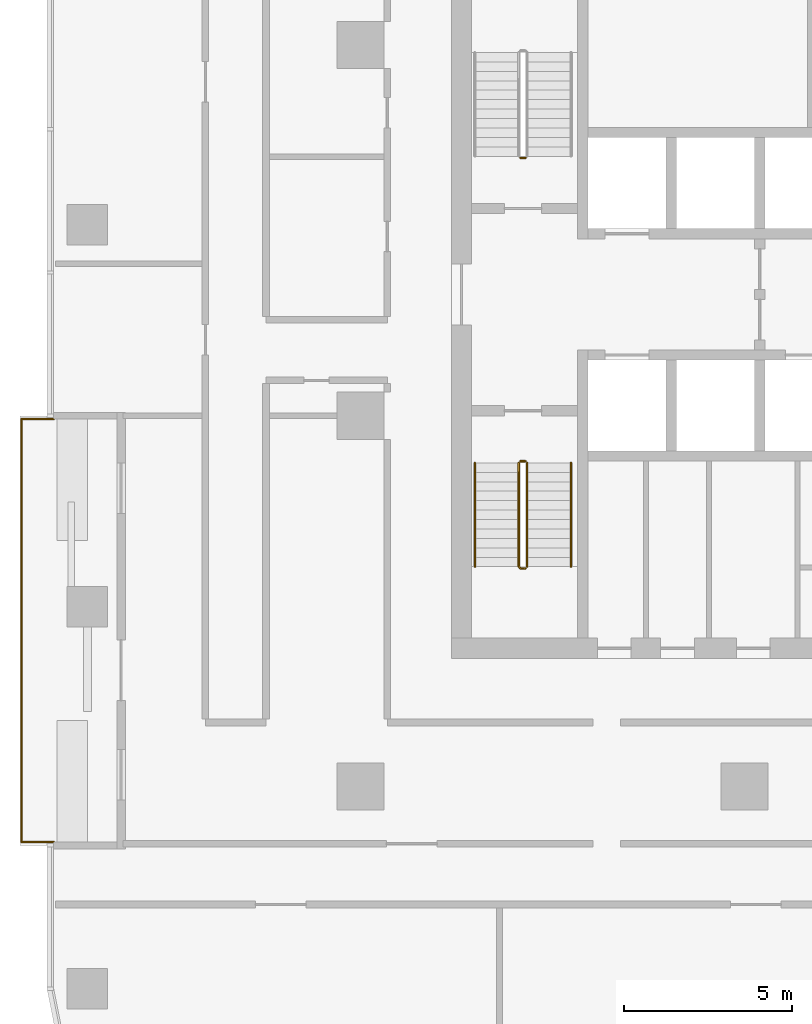
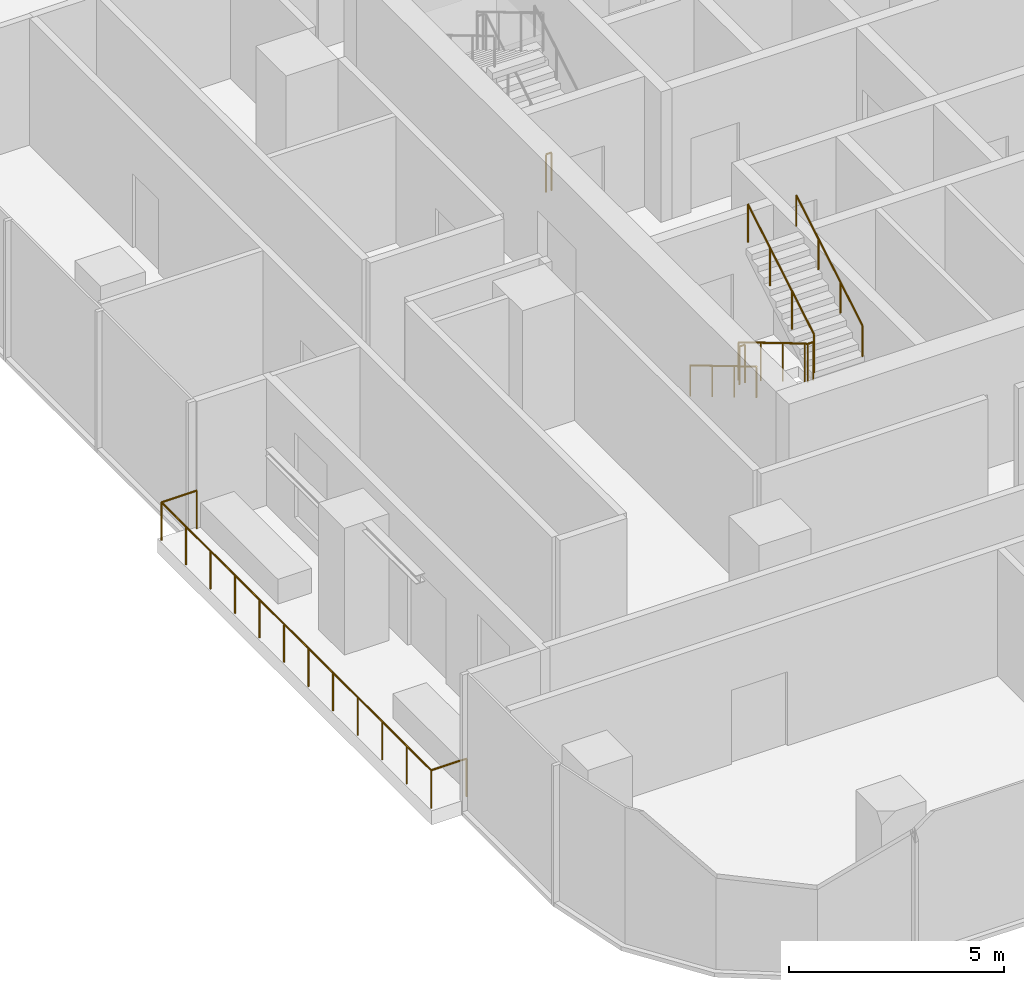
# One storey, part 12 of 14: 7 railings.
"""IFC4 building model written with IfcOpenShell, lengths in metres."""

import ifcopenshell
import ifcopenshell.guid

model = None  # the IFC model being written
_history = None  # IfcOwnerHistory: only IFC2X3 demands one
_inside = {}  # id of a spatial element -> (the spatial element, [elements in it])
_under = {}  # id of a project, library or spatial element -> (it, [spatial elements below it])
_declared = {}  # id of a project -> (the project, [libraries it declares])
_typed = {}  # id of a type object -> (the type object, [elements of that type])
_made_of = {}  # id of a material, layer set ... -> (it, [elements and type objects made of it])


def new_model(schema):
    """Start an empty IFC model of exactly this schema.

    Asked for "IFC4X3", IfcOpenShell would pick the latest addendum, in which some entities
    have other attributes; the version numbers below select the first issue.
    IFC2X3 requires an IfcOwnerHistory on every rooted entity: one is made here for all.
    """
    global model, _history
    if schema == "IFC4X3":
        model = ifcopenshell.file(schema_version=(4, 3, 0, 0))
    else:
        model = ifcopenshell.file(schema=schema)
    _inside.clear()
    _under.clear()
    _declared.clear()
    _typed.clear()
    _made_of.clear()
    _history = None
    if model.schema == "IFC2X3":
        org = make("IfcOrganization", Name="unknown")
        user = make(
            "IfcPersonAndOrganization",
            ThePerson=make("IfcPerson", FamilyName="unknown"),
            TheOrganization=org,
        )
        app = make(
            "IfcApplication",
            ApplicationDeveloper=org,
            Version="unknown",
            ApplicationFullName="unknown",
            ApplicationIdentifier="unknown",
        )
        _history = make(
            "IfcOwnerHistory",
            OwningUser=user,
            OwningApplication=app,
            ChangeAction="ADDED",
            CreationDate=0,
        )
    return model


def make(cls, **values):
    """One entity of the class cls with the attributes given. An attribute that is None is left unset."""
    return model.create_entity(
        cls, **{name: value for name, value in values.items() if value is not None}
    )


def rooted(cls, **values):
    """An entity with a GlobalId (a new one), such as an element, a storey or a relation."""
    return make(cls, GlobalId=ifcopenshell.guid.new(), OwnerHistory=_history, **values)


def si_unit(unit_type, name, prefix=None):
    """IfcSIUnit, for example si_unit("LENGTHUNIT", "METRE", prefix="MILLI")."""
    return make("IfcSIUnit", UnitType=unit_type, Prefix=prefix, Name=name)


def assignment(units):
    """IfcUnitAssignment: the units of a project."""
    return None if units is None else make("IfcUnitAssignment", Units=units)


def point(xyz):
    """IfcCartesianPoint."""
    return None if xyz is None else make("IfcCartesianPoint", Coordinates=xyz)


def direction(xyz):
    """IfcDirection."""
    return None if xyz is None else make("IfcDirection", DirectionRatios=xyz)


def frame(location, z_axis=None, x_axis=None):
    """IfcAxis2Placement3D, a coordinate frame: its origin and axes. An axis left out is left unset."""
    return make(
        "IfcAxis2Placement3D",
        Location=point(location),
        Axis=direction(z_axis),
        RefDirection=direction(x_axis),
    )


def frame_2d(location, x_axis=None):
    """IfcAxis2Placement2D, a coordinate frame in the plane: its origin and x axis."""
    return make(
        "IfcAxis2Placement2D", Location=point(location), RefDirection=direction(x_axis)
    )


def origin():
    """The frame at (0, 0, 0) with its axes left unset."""
    return frame((0.0, 0.0, 0.0))


def origin_2d():
    """The frame at (0, 0) in the plane with its x axis left unset."""
    return frame_2d((0.0, 0.0))


def place(relative_to, where):
    """IfcLocalPlacement: puts the frame where relative to a parent placement (None: the world)."""
    return make(
        "IfcLocalPlacement", PlacementRelTo=relative_to, RelativePlacement=where
    )


def context(
    kind, dimensions, precision=None, world=None, true_north=None, identifier=None
):
    """IfcGeometricRepresentationContext, for example the 3D "Model" context."""
    return make(
        "IfcGeometricRepresentationContext",
        ContextIdentifier=identifier,
        ContextType=kind,
        CoordinateSpaceDimension=dimensions,
        Precision=precision,
        WorldCoordinateSystem=world,
        TrueNorth=true_north,
    )


def subcontext(parent, identifier, kind, view, scale=None):
    """IfcGeometricRepresentationSubContext, for example "Body" below "Model"."""
    return make(
        "IfcGeometricRepresentationSubContext",
        ContextIdentifier=identifier,
        ContextType=kind,
        ParentContext=parent,
        TargetScale=scale,
        TargetView=view,
    )


def project(units=None, contexts=None):
    """IfcProject with its units and contexts."""
    return rooted(
        "IfcProject",
        Name="project",
        RepresentationContexts=contexts,
        UnitsInContext=assignment(units),
    )


def spatial(cls, under=None, at=None, **own):
    """A site, building, storey or space (cls), placed at a placement, below another one or the project."""
    s = rooted(cls, ObjectPlacement=at, **own)
    if under is not None:
        _under.setdefault(under.id(), (under, []))[1].append(s)
    return s


def profile(cls, at=None, kind="AREA", **sizes):
    """A parametric profile (cls). Its sizes go by their IFC names, for example OverallWidth=200.0."""
    return make(cls, ProfileType=kind, Position=at, **sizes)


def circle(**sizes):
    """IfcCircleProfileDef."""
    return profile("IfcCircleProfileDef", **sizes)


def extrude(swept, where, along, depth):
    """IfcExtrudedAreaSolid: the profile swept, set in the frame where, extruded along a direction by depth."""
    return make(
        "IfcExtrudedAreaSolid",
        SweptArea=swept,
        Position=where,
        ExtrudedDirection=direction(along),
        Depth=depth,
    )


def shape(context_of_items, identifier, shape_type, items):
    """IfcShapeRepresentation: the items that make up one representation, for example the "Body"."""
    return make(
        "IfcShapeRepresentation",
        ContextOfItems=context_of_items,
        RepresentationIdentifier=identifier,
        RepresentationType=shape_type,
        Items=items,
    )


def material(Name=None, Category=None):
    """IfcMaterial."""
    return make("IfcMaterial", Name=Name, Category=Category)


def made_of(thing, what):
    """Note that an element or type object is made of a material, layer set ...; save() writes the relation."""
    if what is not None:
        _made_of.setdefault(what.id(), (what, []))[1].append(thing)
    return thing


def type_object(cls, material=None, **own):
    """A type object (cls), such as IfcWallType, which elements share."""
    return made_of(rooted(cls, **own), material)


def element(
    cls,
    number,
    at=None,
    inside=None,
    cuts=None,
    type_object=None,
    material=None,
    context=None,
    identifier="Body",
    shape_type=None,
    held_by="IfcProductDefinitionShape",
    body=None,
    shapes=None,
    **own,
):
    """One element of the class cls, such as IfcWall. Its Tag is "e" and its number.

    at: its placement. inside: the storey or other place that contains it. cuts: it is an
    opening in that element (IfcRelVoidsElement). A single representation is given by context,
    identifier, shape_type and body (its items); several are given by shapes. held_by: the class
    of the entity that holds the representations. save() writes the other relations.
    """
    e = rooted(cls, Tag="e%d" % number, ObjectPlacement=at, **own)
    if body is not None:
        shapes = [shape(context, identifier, shape_type, body)]
    if shapes is not None:
        e.Representation = make(held_by, Representations=shapes)
    if inside is not None:
        _inside.setdefault(inside.id(), (inside, []))[1].append(e)
    if cuts is not None:
        rooted(
            "IfcRelVoidsElement", RelatingBuildingElement=cuts, RelatedOpeningElement=e
        )
    if type_object is not None:
        _typed.setdefault(type_object.id(), (type_object, []))[1].append(e)
    return made_of(e, material)


def aggregate(whole, parts):
    """IfcRelAggregates: a whole, such as a stair, and the parts it consists of."""
    return rooted("IfcRelAggregates", RelatingObject=whole, RelatedObjects=parts)


def save(model, path):
    """Write the relations noted so far, then the file.

    IfcRelAggregates (storeys below a building ...), IfcRelContainedInSpatialStructure (elements
    in a storey), IfcRelDefinesByType, IfcRelAssociatesMaterial and IfcRelDeclares: one each for
    every whole, place, type object, material and project.
    """
    for whole, parts in _under.values():
        aggregate(whole, parts)
    for where, things in _inside.values():
        rooted(
            "IfcRelContainedInSpatialStructure",
            RelatedElements=things,
            RelatingStructure=where,
        )
    for kind, things in _typed.values():
        rooted("IfcRelDefinesByType", RelatedObjects=things, RelatingType=kind)
    for what, things in _made_of.values():
        rooted("IfcRelAssociatesMaterial", RelatedObjects=things, RelatingMaterial=what)
    for by, libraries in _declared.values():
        rooted("IfcRelDeclares", RelatingContext=by, RelatedDefinitions=libraries)
    model.write(path)


model = new_model("IFC4")

# Units and contexts
model_context = context("Model", 3, precision=1e-05, world=origin(), true_north=direction((0.0, 1.0)))
body_context = subcontext(model_context, "Body", "Model", "MODEL_VIEW")
ifc_project = project(units=[si_unit("LENGTHUNIT", "METRE"), si_unit("AREAUNIT", "SQUARE_METRE"), si_unit("VOLUMEUNIT", "CUBIC_METRE"), si_unit("PLANEANGLEUNIT", "RADIAN"), si_unit("MASSUNIT", "GRAM", prefix="KILO")], contexts=[model_context])

# Site, building, storey
site_placement = place(None, origin())
site = spatial("IfcSite", under=ifc_project, at=site_placement, CompositionType="ELEMENT")
building_placement = place(site_placement, origin())
building = spatial("IfcBuilding", under=site, at=building_placement, Name="Mopane Tessera Tower", CompositionType="ELEMENT")
storey_placement = place(building_placement, frame((0.0, 0.0, 197.0)))
storey = spatial("IfcBuildingStorey", under=building, at=storey_placement, Name="L41", CompositionType="ELEMENT", Elevation=197.0)

# Railings
ifc_material_1 = material(Name="Powder-coated steel balustrade", Category="steel")
railing_type_1 = type_object("IfcRailingType", Name="Escape stair guard 1100 mm", PredefinedType="GUARDRAIL", material=ifc_material_1)
railing_1_placement = place(storey_placement, frame((-12.39990234375, -1.39990234375, 0.166748046875)))
element("IfcRailing", 1, at=railing_1_placement, inside=storey, type_object=railing_type_1, Name="L41 ST1 stair guard 1", PredefinedType="GUARDRAIL", context=body_context, shape_type="SweptSolid", body=[
    extrude(circle(Radius=0.02392578125, at=origin_2d()), frame((0.0, 0.0, 1.076171875), z_axis=(0.0, -0.859308565015, 0.511457515432), x_axis=(1.0, 0.0, 0.0)), (0.0, 0.0, 1.0), 3.58447265625),
    extrude(circle(Radius=0.02392578125, at=origin_2d()), frame((0.0, -3.080078125, 2.9091796875), z_axis=(0.705375805398, -0.708833529934, 0.0), x_axis=(0.708833529934, 0.705375805398, 0.0)), (0.0, 0.0, 1.0), 0.070556640625),
    extrude(circle(Radius=0.02392578125, at=origin_2d()), frame((0.0498046875, -3.130126953125, 2.9091796875), z_axis=(1.0, 0.0, 0.0), x_axis=(0.0, 1.0, 0.0)), (0.0, 0.0, 1.0), 0.150146484375),
    extrude(circle(Radius=0.02099609375, at=origin_2d()), origin(), (0.0, 0.0, 1.0), 1.052001953125),
    extrude(circle(Radius=0.02099609375, at=origin_2d()), frame((0.0, -1.026611328125, 0.611083984375)), (0.0, 0.0, 1.0), 1.052001953125),
    extrude(circle(Radius=0.02099609375, at=origin_2d()), frame((0.0, -2.053466796875, 1.22216796875)), (0.0, 0.0, 1.0), 1.052001953125),
    extrude(circle(Radius=0.02099609375, at=origin_2d()), frame((0.0, -3.080078125, 1.833251953125)), (0.0, 0.0, 1.0), 1.052001953125),
    extrude(circle(Radius=0.02099609375, at=origin_2d()), frame((0.0498046875, -3.130126953125, 1.833251953125)), (0.0, 0.0, 1.0), 1.052001953125),
    extrude(circle(Radius=0.02099609375, at=origin_2d()), frame((0.199951171875, -3.130126953125, 1.833251953125)), (0.0, 0.0, 1.0), 1.052001953125),
])
railing_2_placement = place(storey_placement, frame((-12.14990234375, -4.47998046875, 2.166748046875)))
element("IfcRailing", 2, at=railing_2_placement, inside=storey, type_object=railing_type_1, Name="L41 ST1 stair guard 2", PredefinedType="GUARDRAIL", context=body_context, shape_type="SweptSolid", body=[
    extrude(circle(Radius=0.02392578125, at=origin_2d()), frame((0.0, 0.0, 1.076171875), z_axis=(0.0, 0.859308565015, 0.511457515432), x_axis=(-1.0, 0.0, 0.0)), (0.0, 0.0, 1.0), 3.58447265625),
    extrude(circle(Radius=0.02099609375, at=origin_2d()), origin(), (0.0, 0.0, 1.0), 1.052001953125),
    extrude(circle(Radius=0.02099609375, at=origin_2d()), frame((0.0, 1.026611328125, 0.611083984375)), (0.0, 0.0, 1.0), 1.052001953125),
    extrude(circle(Radius=0.02099609375, at=origin_2d()), frame((0.0, 2.053466796875, 1.22216796875)), (0.0, 0.0, 1.0), 1.052001953125),
    extrude(circle(Radius=0.02099609375, at=origin_2d()), frame((0.0, 3.080078125, 1.833251953125)), (0.0, 0.0, 1.0), 1.052001953125),
])
railing_3_placement = place(storey_placement, frame((-12.35009765625, -1.35009765625, 0.0)))
element("IfcRailing", 3, at=railing_3_placement, inside=storey, type_object=railing_type_1, Name="L41 ST1 stair guard 3", PredefinedType="GUARDRAIL", context=body_context, shape_type="SweptSolid", body=[
    extrude(circle(Radius=0.02392578125, at=origin_2d()), frame((0.0, 0.0, 1.076171875), z_axis=(1.0, 0.0, 0.0), x_axis=(0.0, 1.0, 0.0)), (0.0, 0.0, 1.0), 0.150146484375),
    extrude(circle(Radius=0.02099609375, at=origin_2d()), origin(), (0.0, 0.0, 1.0), 1.052001953125),
    extrude(circle(Radius=0.02099609375, at=origin_2d()), frame((0.150146484375, 0.0, 0.0)), (0.0, 0.0, 1.0), 1.052001953125),
])
railing_4_placement = place(storey_placement, frame((-12.199951171875, 7.64990234375, 0.0)))
element("IfcRailing", 4, at=railing_4_placement, inside=storey, type_object=railing_type_1, Name="L41 ST2 stair guard 3", PredefinedType="GUARDRAIL", context=body_context, shape_type="SweptSolid", body=[
    extrude(circle(Radius=0.02392578125, at=origin_2d()), frame((0.0, 0.0, 1.076171875), z_axis=(-1.0, 0.0, 0.0), x_axis=(0.0, -1.0, 0.0)), (0.0, 0.0, 1.0), 0.150146484375),
    extrude(circle(Radius=0.02099609375, at=origin_2d()), origin(), (0.0, 0.0, 1.0), 1.052001953125),
    extrude(circle(Radius=0.02099609375, at=origin_2d()), frame((-0.150146484375, 0.0, 0.0)), (0.0, 0.0, 1.0), 1.052001953125),
])
ifc_material_2 = material(Name="Powder-coated steel balustrade", Category="steel")
railing_type_2 = type_object("IfcRailingType", Name="Escape stair handrail 900 mm", PredefinedType="HANDRAIL", material=ifc_material_2)
railing_5_placement = place(storey_placement, frame((-13.699951171875, -1.39990234375, 0.166748046875)))
element("IfcRailing", 5, at=railing_5_placement, inside=storey, type_object=railing_type_2, Name="L41 ST1 stair handrail 1", PredefinedType="HANDRAIL", context=body_context, shape_type="SweptSolid", body=[
    extrude(circle(Radius=0.02392578125, at=origin_2d()), frame((0.0, 0.0, 0.8759765625), z_axis=(0.0, -0.859308565015, 0.511457515432), x_axis=(1.0, 0.0, 0.0)), (0.0, 0.0, 1.0), 3.58447265625),
    extrude(circle(Radius=0.02099609375, at=origin_2d()), origin(), (0.0, 0.0, 1.0), 0.851806640625),
    extrude(circle(Radius=0.02099609375, at=origin_2d()), frame((0.0, -1.026611328125, 0.611083984375)), (0.0, 0.0, 1.0), 0.851806640625),
    extrude(circle(Radius=0.02099609375, at=origin_2d()), frame((0.0, -2.053466796875, 1.22216796875)), (0.0, 0.0, 1.0), 0.851806640625),
    extrude(circle(Radius=0.02099609375, at=origin_2d()), frame((0.0, -3.080078125, 1.833251953125)), (0.0, 0.0, 1.0), 0.851806640625),
])
railing_6_placement = place(storey_placement, frame((-10.85009765625, -4.47998046875, 2.166748046875)))
element("IfcRailing", 6, at=railing_6_placement, inside=storey, type_object=railing_type_2, Name="L41 ST1 stair handrail 2", PredefinedType="HANDRAIL", context=body_context, shape_type="SweptSolid", body=[
    extrude(circle(Radius=0.02392578125, at=origin_2d()), frame((0.0, 0.0, 0.8759765625), z_axis=(0.0, 0.859308565015, 0.511457515432), x_axis=(-1.0, 0.0, 0.0)), (0.0, 0.0, 1.0), 3.58447265625),
    extrude(circle(Radius=0.02099609375, at=origin_2d()), origin(), (0.0, 0.0, 1.0), 0.851806640625),
    extrude(circle(Radius=0.02099609375, at=origin_2d()), frame((0.0, 1.026611328125, 0.611083984375)), (0.0, 0.0, 1.0), 0.851806640625),
    extrude(circle(Radius=0.02099609375, at=origin_2d()), frame((0.0, 2.053466796875, 1.22216796875)), (0.0, 0.0, 1.0), 0.851806640625),
    extrude(circle(Radius=0.02099609375, at=origin_2d()), frame((0.0, 3.080078125, 1.833251953125)), (0.0, 0.0, 1.0), 0.851806640625),
])
ifc_material_3 = material(Name="Stainless steel S316", Category="steel")
railing_type_3 = type_object("IfcRailingType", Name="Terrace guard 1100", PredefinedType="GUARDRAIL", material=ifc_material_3)
railing_7_placement = place(storey_placement, frame((-26.199951171875, -0.10009765625, 0.0)))
element("IfcRailing", 7, at=railing_7_placement, inside=storey, type_object=railing_type_3, Name="e:nw:L41:N1:guard", PredefinedType="GUARDRAIL", context=body_context, shape_type="SweptSolid", body=[
    extrude(circle(Radius=0.02392578125, at=origin_2d()), frame((0.0, 0.0, 1.076171875), z_axis=(-1.0, 0.0, 0.0), x_axis=(0.0, -1.0, 0.0)), (0.0, 0.0, 1.0), 0.949951171875),
    extrude(circle(Radius=0.02392578125, at=origin_2d()), frame((-0.949951171875, 0.0, 1.076171875), z_axis=(0.0, -1.0, 0.0), x_axis=(1.0, 0.0, 0.0)), (0.0, 0.0, 1.0), 12.5498046875),
    extrude(circle(Radius=0.02392578125, at=origin_2d()), frame((-0.949951171875, -12.5498046875, 1.076171875), z_axis=(1.0, 0.0, 0.0), x_axis=(0.0, 1.0, 0.0)), (0.0, 0.0, 1.0), 0.949951171875),
    extrude(circle(Radius=0.02099609375, at=origin_2d()), origin(), (0.0, 0.0, 1.0), 1.052001953125),
    extrude(circle(Radius=0.02099609375, at=origin_2d()), frame((-0.949951171875, 0.0, 0.0)), (0.0, 0.0, 1.0), 1.052001953125),
    extrude(circle(Radius=0.02099609375, at=origin_2d()), frame((-0.949951171875, -1.140869140625, 0.0)), (0.0, 0.0, 1.0), 1.052001953125),
    extrude(circle(Radius=0.02099609375, at=origin_2d()), frame((-0.949951171875, -2.28173828125, 0.0)), (0.0, 0.0, 1.0), 1.052001953125),
    extrude(circle(Radius=0.02099609375, at=origin_2d()), frame((-0.949951171875, -3.422607421875, 0.0)), (0.0, 0.0, 1.0), 1.052001953125),
    extrude(circle(Radius=0.02099609375, at=origin_2d()), frame((-0.949951171875, -4.5634765625, 0.0)), (0.0, 0.0, 1.0), 1.052001953125),
    extrude(circle(Radius=0.02099609375, at=origin_2d()), frame((-0.949951171875, -5.704345703125, 0.0)), (0.0, 0.0, 1.0), 1.052001953125),
    extrude(circle(Radius=0.02099609375, at=origin_2d()), frame((-0.949951171875, -6.845458984375, 0.0)), (0.0, 0.0, 1.0), 1.052001953125),
    extrude(circle(Radius=0.02099609375, at=origin_2d()), frame((-0.949951171875, -7.986328125, 0.0)), (0.0, 0.0, 1.0), 1.052001953125),
    extrude(circle(Radius=0.02099609375, at=origin_2d()), frame((-0.949951171875, -9.127197265625, 0.0)), (0.0, 0.0, 1.0), 1.052001953125),
    extrude(circle(Radius=0.02099609375, at=origin_2d()), frame((-0.949951171875, -10.26806640625, 0.0)), (0.0, 0.0, 1.0), 1.052001953125),
    extrude(circle(Radius=0.02099609375, at=origin_2d()), frame((-0.949951171875, -11.408935546875, 0.0)), (0.0, 0.0, 1.0), 1.052001953125),
    extrude(circle(Radius=0.02099609375, at=origin_2d()), frame((-0.949951171875, -12.5498046875, 0.0)), (0.0, 0.0, 1.0), 1.052001953125),
    extrude(circle(Radius=0.02099609375, at=origin_2d()), frame((0.0, -12.5498046875, 0.0)), (0.0, 0.0, 1.0), 1.052001953125),
])

save(model, "model.ifc")
